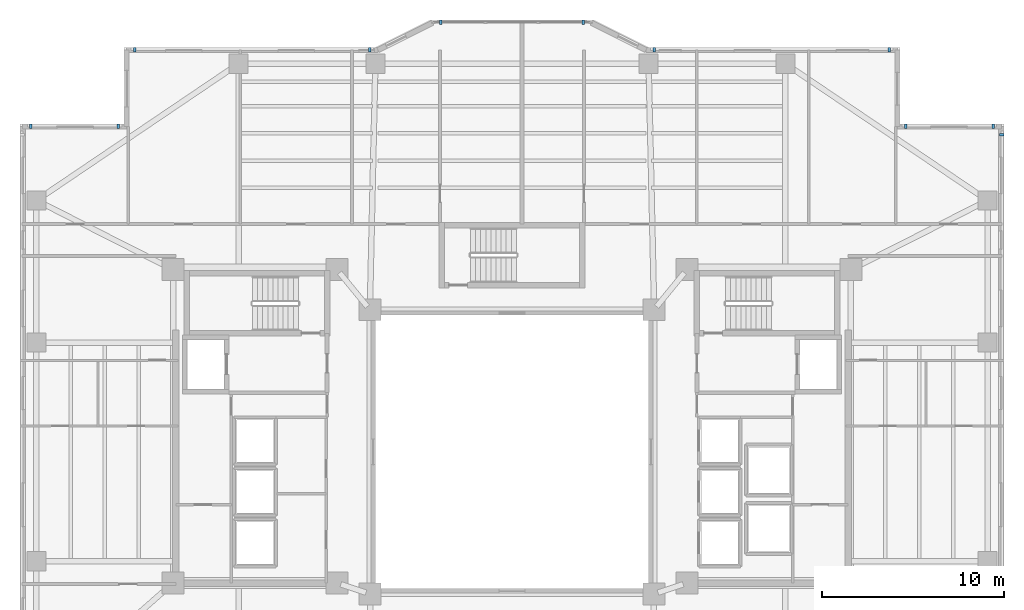
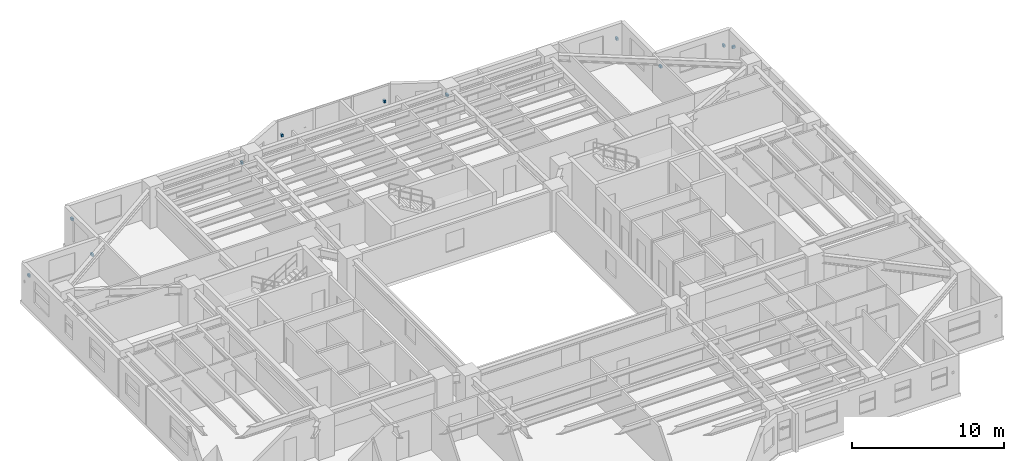
# One storey, part 13 of 18: 11 discrete accessories.
"""IFC4 building model written with IfcOpenShell, lengths in metres."""

import ifcopenshell
import ifcopenshell.guid

model = None  # the IFC model being written
_history = None  # IfcOwnerHistory: only IFC2X3 demands one
_inside = {}  # id of a spatial element -> (the spatial element, [elements in it])
_under = {}  # id of a project, library or spatial element -> (it, [spatial elements below it])
_declared = {}  # id of a project -> (the project, [libraries it declares])
_typed = {}  # id of a type object -> (the type object, [elements of that type])
_made_of = {}  # id of a material, layer set ... -> (it, [elements and type objects made of it])


def new_model(schema):
    """Start an empty IFC model of exactly this schema.

    Asked for "IFC4X3", IfcOpenShell would pick the latest addendum, in which some entities
    have other attributes; the version numbers below select the first issue.
    IFC2X3 requires an IfcOwnerHistory on every rooted entity: one is made here for all.
    """
    global model, _history
    if schema == "IFC4X3":
        model = ifcopenshell.file(schema_version=(4, 3, 0, 0))
    else:
        model = ifcopenshell.file(schema=schema)
    _inside.clear()
    _under.clear()
    _declared.clear()
    _typed.clear()
    _made_of.clear()
    _history = None
    if model.schema == "IFC2X3":
        org = make("IfcOrganization", Name="unknown")
        user = make(
            "IfcPersonAndOrganization",
            ThePerson=make("IfcPerson", FamilyName="unknown"),
            TheOrganization=org,
        )
        app = make(
            "IfcApplication",
            ApplicationDeveloper=org,
            Version="unknown",
            ApplicationFullName="unknown",
            ApplicationIdentifier="unknown",
        )
        _history = make(
            "IfcOwnerHistory",
            OwningUser=user,
            OwningApplication=app,
            ChangeAction="ADDED",
            CreationDate=0,
        )
    return model


def make(cls, **values):
    """One entity of the class cls with the attributes given. An attribute that is None is left unset."""
    return model.create_entity(
        cls, **{name: value for name, value in values.items() if value is not None}
    )


def rooted(cls, **values):
    """An entity with a GlobalId (a new one), such as an element, a storey or a relation."""
    return make(cls, GlobalId=ifcopenshell.guid.new(), OwnerHistory=_history, **values)


def si_unit(unit_type, name, prefix=None):
    """IfcSIUnit, for example si_unit("LENGTHUNIT", "METRE", prefix="MILLI")."""
    return make("IfcSIUnit", UnitType=unit_type, Prefix=prefix, Name=name)


def assignment(units):
    """IfcUnitAssignment: the units of a project."""
    return None if units is None else make("IfcUnitAssignment", Units=units)


def point(xyz):
    """IfcCartesianPoint."""
    return None if xyz is None else make("IfcCartesianPoint", Coordinates=xyz)


def direction(xyz):
    """IfcDirection."""
    return None if xyz is None else make("IfcDirection", DirectionRatios=xyz)


def frame(location, z_axis=None, x_axis=None):
    """IfcAxis2Placement3D, a coordinate frame: its origin and axes. An axis left out is left unset."""
    return make(
        "IfcAxis2Placement3D",
        Location=point(location),
        Axis=direction(z_axis),
        RefDirection=direction(x_axis),
    )


def frame_2d(location, x_axis=None):
    """IfcAxis2Placement2D, a coordinate frame in the plane: its origin and x axis."""
    return make(
        "IfcAxis2Placement2D", Location=point(location), RefDirection=direction(x_axis)
    )


def origin():
    """The frame at (0, 0, 0) with its axes left unset."""
    return frame((0.0, 0.0, 0.0))


def origin_2d():
    """The frame at (0, 0) in the plane with its x axis left unset."""
    return frame_2d((0.0, 0.0))


def place(relative_to, where):
    """IfcLocalPlacement: puts the frame where relative to a parent placement (None: the world)."""
    return make(
        "IfcLocalPlacement", PlacementRelTo=relative_to, RelativePlacement=where
    )


def context(
    kind, dimensions, precision=None, world=None, true_north=None, identifier=None
):
    """IfcGeometricRepresentationContext, for example the 3D "Model" context."""
    return make(
        "IfcGeometricRepresentationContext",
        ContextIdentifier=identifier,
        ContextType=kind,
        CoordinateSpaceDimension=dimensions,
        Precision=precision,
        WorldCoordinateSystem=world,
        TrueNorth=true_north,
    )


def subcontext(parent, identifier, kind, view, scale=None):
    """IfcGeometricRepresentationSubContext, for example "Body" below "Model"."""
    return make(
        "IfcGeometricRepresentationSubContext",
        ContextIdentifier=identifier,
        ContextType=kind,
        ParentContext=parent,
        TargetScale=scale,
        TargetView=view,
    )


def project(units=None, contexts=None):
    """IfcProject with its units and contexts."""
    return rooted(
        "IfcProject",
        Name="project",
        RepresentationContexts=contexts,
        UnitsInContext=assignment(units),
    )


def spatial(cls, under=None, at=None, **own):
    """A site, building, storey or space (cls), placed at a placement, below another one or the project."""
    s = rooted(cls, ObjectPlacement=at, **own)
    if under is not None:
        _under.setdefault(under.id(), (under, []))[1].append(s)
    return s


def profile(cls, at=None, kind="AREA", **sizes):
    """A parametric profile (cls). Its sizes go by their IFC names, for example OverallWidth=200.0."""
    return make(cls, ProfileType=kind, Position=at, **sizes)


def rectangle(**sizes):
    """IfcRectangleProfileDef."""
    return profile("IfcRectangleProfileDef", **sizes)


def extrude(swept, where, along, depth):
    """IfcExtrudedAreaSolid: the profile swept, set in the frame where, extruded along a direction by depth."""
    return make(
        "IfcExtrudedAreaSolid",
        SweptArea=swept,
        Position=where,
        ExtrudedDirection=direction(along),
        Depth=depth,
    )


def shape(context_of_items, identifier, shape_type, items):
    """IfcShapeRepresentation: the items that make up one representation, for example the "Body"."""
    return make(
        "IfcShapeRepresentation",
        ContextOfItems=context_of_items,
        RepresentationIdentifier=identifier,
        RepresentationType=shape_type,
        Items=items,
    )


def material(Name=None, Category=None):
    """IfcMaterial."""
    return make("IfcMaterial", Name=Name, Category=Category)


def made_of(thing, what):
    """Note that an element or type object is made of a material, layer set ...; save() writes the relation."""
    if what is not None:
        _made_of.setdefault(what.id(), (what, []))[1].append(thing)
    return thing


def type_object(cls, material=None, **own):
    """A type object (cls), such as IfcWallType, which elements share."""
    return made_of(rooted(cls, **own), material)


def element(
    cls,
    number,
    at=None,
    inside=None,
    cuts=None,
    type_object=None,
    material=None,
    context=None,
    identifier="Body",
    shape_type=None,
    held_by="IfcProductDefinitionShape",
    body=None,
    shapes=None,
    **own,
):
    """One element of the class cls, such as IfcWall. Its Tag is "e" and its number.

    at: its placement. inside: the storey or other place that contains it. cuts: it is an
    opening in that element (IfcRelVoidsElement). A single representation is given by context,
    identifier, shape_type and body (its items); several are given by shapes. held_by: the class
    of the entity that holds the representations. save() writes the other relations.
    """
    e = rooted(cls, Tag="e%d" % number, ObjectPlacement=at, **own)
    if body is not None:
        shapes = [shape(context, identifier, shape_type, body)]
    if shapes is not None:
        e.Representation = make(held_by, Representations=shapes)
    if inside is not None:
        _inside.setdefault(inside.id(), (inside, []))[1].append(e)
    if cuts is not None:
        rooted(
            "IfcRelVoidsElement", RelatingBuildingElement=cuts, RelatedOpeningElement=e
        )
    if type_object is not None:
        _typed.setdefault(type_object.id(), (type_object, []))[1].append(e)
    return made_of(e, material)


def aggregate(whole, parts):
    """IfcRelAggregates: a whole, such as a stair, and the parts it consists of."""
    return rooted("IfcRelAggregates", RelatingObject=whole, RelatedObjects=parts)


def save(model, path):
    """Write the relations noted so far, then the file.

    IfcRelAggregates (storeys below a building ...), IfcRelContainedInSpatialStructure (elements
    in a storey), IfcRelDefinesByType, IfcRelAssociatesMaterial and IfcRelDeclares: one each for
    every whole, place, type object, material and project.
    """
    for whole, parts in _under.values():
        aggregate(whole, parts)
    for where, things in _inside.values():
        rooted(
            "IfcRelContainedInSpatialStructure",
            RelatedElements=things,
            RelatingStructure=where,
        )
    for kind, things in _typed.values():
        rooted("IfcRelDefinesByType", RelatedObjects=things, RelatingType=kind)
    for what, things in _made_of.values():
        rooted("IfcRelAssociatesMaterial", RelatedObjects=things, RelatingMaterial=what)
    for by, libraries in _declared.values():
        rooted("IfcRelDeclares", RelatingContext=by, RelatedDefinitions=libraries)
    model.write(path)


model = new_model("IFC4")

# Units and contexts
model_context = context("Model", 3, precision=1e-05, world=origin(), true_north=direction((0.0, 1.0)))
body_context = subcontext(model_context, "Body", "Model", "MODEL_VIEW")
ifc_project = project(units=[si_unit("LENGTHUNIT", "METRE"), si_unit("AREAUNIT", "SQUARE_METRE"), si_unit("VOLUMEUNIT", "CUBIC_METRE"), si_unit("PLANEANGLEUNIT", "RADIAN"), si_unit("MASSUNIT", "GRAM", prefix="KILO")], contexts=[model_context])

# Site, building, storey
site_placement = place(None, origin())
site = spatial("IfcSite", under=ifc_project, at=site_placement, CompositionType="ELEMENT")
building_placement = place(site_placement, origin())
building = spatial("IfcBuilding", under=site, at=building_placement, Name="Tarnavaz Court Tower", CompositionType="ELEMENT")
storey_placement = place(building_placement, frame((0.0, 0.0, 105.10009765625)))
storey = spatial("IfcBuildingStorey", under=building, at=storey_placement, Name="L28", CompositionType="ELEMENT", Elevation=105.10009765625)

# Discrete accessories
ifc_material = material(Name="Anodised Aluminium 6063-T6", Category="aluminium")
discrete_accessory_type = type_object("IfcDiscreteAccessoryType", Name="DA-BRKT-ALU", PredefinedType="BRACKET", material=ifc_material)
for number, where, z_axis, x_axis, name in (
    (1, (-26.39990234375, 17.8701171875, 1.75), (0.0, 0.0, 1.0), (1.0, 0.0, 0.0), "L28 Baguette Outrigger Bracket FBG03-1"),
    (2, (-21.60009765625, 17.8701171875, 1.75), (0.0, 0.0, 1.0), (1.0, 0.0, 0.0), "L28 Baguette Outrigger Bracket FBG03-2"),
    (3, (-20.699951171875, 22.070068359375, 1.75), (0.0, 0.0, 1.0), (1.0, 0.0, 0.0), "L28 Baguette Outrigger Bracket FBG05-1"),
    (4, (-7.800048828125, 22.070068359375, 1.75), (0.0, 0.0, 1.0), (1.0, 0.0, 0.0), "L28 Baguette Outrigger Bracket FBG05-2"),
    (5, (-3.89990234375, 23.570068359375, 1.69970703125), (0.0, 0.0, 1.0), (1.0, 0.0, 0.0), "L28 Baguette Outrigger Bracket PBG7-1"),
    (6, (3.89990234375, 23.570068359375, 1.69970703125), (0.0, 0.0, 1.0), (1.0, 0.0, 0.0), "L28 Baguette Outrigger Bracket PBG7-2"),
    (7, (7.800048828125, 22.070068359375, 1.75), (0.0, 0.0, 1.0), (1.0, 0.0, 0.0), "L28 Baguette Outrigger Bracket FBG09-1"),
    (8, (20.699951171875, 22.070068359375, 1.75), (0.0, 0.0, 1.0), (1.0, 0.0, 0.0), "L28 Baguette Outrigger Bracket FBG09-2"),
    (9, (21.60009765625, 17.8701171875, 1.75), (0.0, 0.0, 1.0), (1.0, 0.0, 0.0), "L28 Baguette Outrigger Bracket FBG11-1"),
    (10, (26.39990234375, 17.8701171875, 1.75), (0.0, 0.0, 1.0), (1.0, 0.0, 0.0), "L28 Baguette Outrigger Bracket FBG11-2"),
    (11, (26.8701171875, 17.39990234375, 1.75), (0.0, 0.0, 1.0), (0.0, -1.0, 0.0), "L28 Baguette Outrigger Bracket FBG12-1"),
):
    element("IfcDiscreteAccessory", number, at=place(storey_placement, frame(where, z_axis=z_axis, x_axis=x_axis)), inside=storey, type_object=discrete_accessory_type, Name=name, PredefinedType="BRACKET", context=body_context, shape_type="SweptSolid", body=[
        extrude(rectangle(XDim=0.139892578125, YDim=0.239990234375, at=origin_2d()), origin(), (0.0, 0.0, 1.0), 0.199951171875),
    ])

save(model, "model.ifc")
